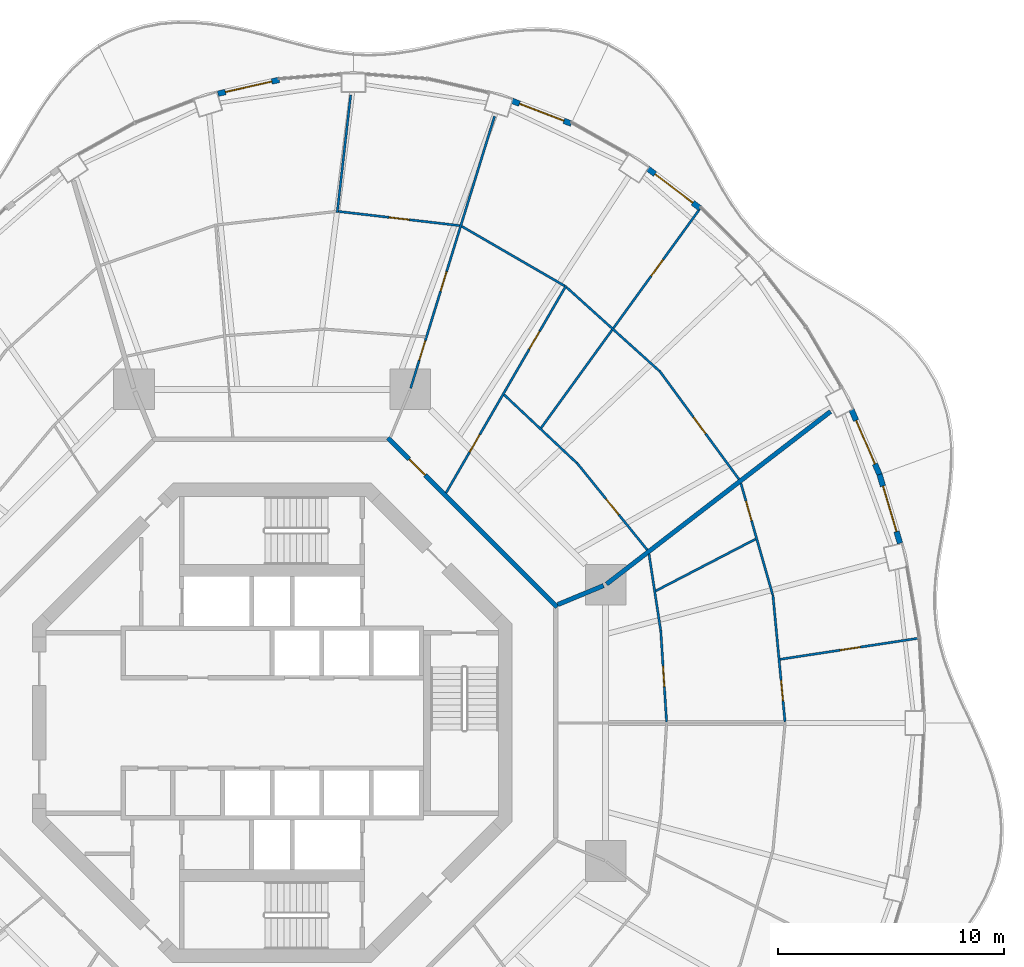
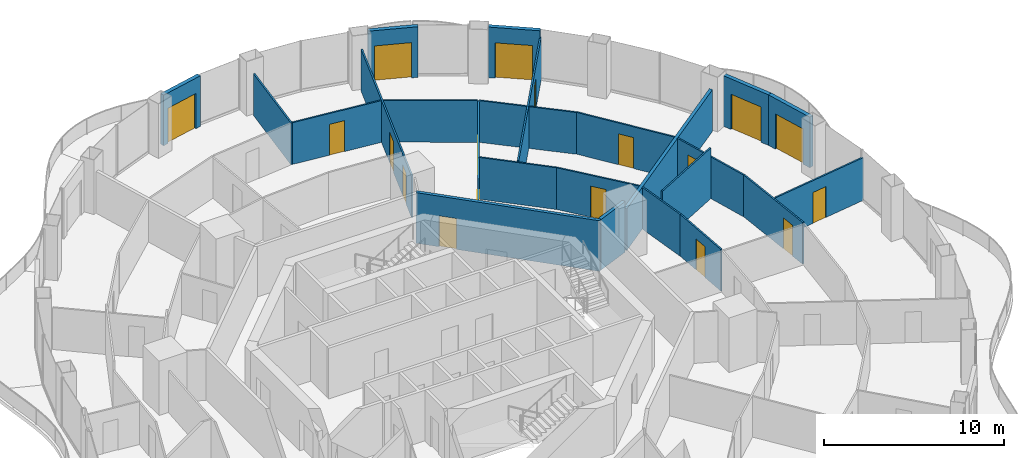
# One storey, part 15 of 19: 24 walls, 18 doors, 18 openings.
"""IFC4 building model written with IfcOpenShell, lengths in metres."""

from ifc_helpers import new_model, si_unit, direction, frame, frame_2d, origin, place, context, subcontext, project, spatial, rectangle, extrude, material, layer, layer_set, type_object, element, fill, save


model = new_model("IFC4")

# Units and contexts
model_context = context("Model", 3, precision=1e-05, world=origin(), true_north=direction((0.0, 1.0)))
body_context = subcontext(model_context, "Body", "Model", "MODEL_VIEW")
ifc_project = project(units=[si_unit("LENGTHUNIT", "METRE"), si_unit("AREAUNIT", "SQUARE_METRE"), si_unit("VOLUMEUNIT", "CUBIC_METRE"), si_unit("PLANEANGLEUNIT", "RADIAN"), si_unit("MASSUNIT", "GRAM", prefix="KILO")], contexts=[model_context])

# Site, building, storey
site_placement = place(None, origin())
site = spatial("IfcSite", under=ifc_project, at=site_placement, CompositionType="ELEMENT")
building_placement = place(site_placement, origin())
building = spatial("IfcBuilding", under=site, at=building_placement, Name="Nagisa Residences", CompositionType="ELEMENT")
storey_placement = place(building_placement, frame((0.0, 0.0, 199.199951171875)))
storey = spatial("IfcBuildingStorey", under=building, at=storey_placement, Name="L50", CompositionType="ELEMENT", Elevation=199.199951171875)

# Walls
ifc_material_1 = material(Name="Gypsum board on steel studs", Category="steel")
ifc_layer_1 = layer(ifc_material_1, 0.199951171875)
ifc_layer_set_1 = layer_set([ifc_layer_1], Name="Apartment compartment wall EI60 200")
wall_type_1 = type_object("IfcWallType", Name="Apartment compartment wall EI60 200", PredefinedType="PARTITIONING", material=ifc_layer_set_1)
wall_1_placement = place(storey_placement, frame((12.6572265625, 5.24267578125, 0.0), z_axis=(0.0, 0.0, 1.0), x_axis=(0.92383017907, 0.382802560388, 0.0)))
element("IfcWall", 1, at=wall_1_placement, inside=storey, type_object=wall_type_1, Name="wall:L50:u00", PredefinedType="PARTITIONING", context=body_context, shape_type="SweptSolid", body=[
    extrude(rectangle(XDim=2.2001953125, YDim=0.199951171875, at=frame_2d((1.10009765625, 0.0))), origin(), (0.0, 0.0, 1.0), 3.43994140625),
])
wall_2_placement = place(storey_placement, frame((14.82177734375, 6.153564453125, 0.0), z_axis=(0.0, 0.0, 1.0), x_axis=(0.792203056092, 0.610257583254, 0.0)))
element("IfcWall", 2, at=wall_2_placement, inside=storey, type_object=wall_type_1, Name="wall:L50:u01", PredefinedType="PARTITIONING", context=body_context, shape_type="SweptSolid", body=[
    extrude(rectangle(XDim=12.53271484375, YDim=0.199951171875, at=frame_2d((6.266357421875, 0.0))), origin(), (0.0, 0.0, 1.0), 2.837158203125),
])

# Wall, opening, door
ifc_material_2 = material(Name="Gypsum board on steel studs", Category="steel")
ifc_layer_2 = layer(ifc_material_2, 0.199951171875)
ifc_layer_set_2 = layer_set([ifc_layer_2], Name="Apartment entry wall EI60 200")
wall_type_2 = type_object("IfcWallType", Name="Apartment entry wall EI60 200", PredefinedType="PARTITIONING", material=ifc_layer_set_2)
wall_3_placement = place(storey_placement, frame((12.635498046875, 5.1337890625, 0.0), z_axis=(0.0, 0.0, 1.0), x_axis=(-0.707106781187, 0.707106781187, 0.0)))
wall_3 = element("IfcWall", 3, at=wall_3_placement, inside=storey, type_object=wall_type_2, Name="wall:L50:u07", PredefinedType="PARTITIONING", context=body_context, shape_type="SweptSolid", body=[
    extrude(rectangle(XDim=10.609130859375, YDim=0.199951171875, at=frame_2d((5.3046875, 0.0))), origin(), (0.0, 0.0, 1.0), 3.43994140625),
])
opening_1_placement = place(wall_3_placement, frame((8.274169921875, 0.0, 0.0)))
opening_1 = element("IfcOpeningElement", 4, at=opening_1_placement, cuts=wall_3, Name="Opening L50-U22", PredefinedType="OPENING", context=body_context, shape_type="SweptSolid", body=[
    extrude(rectangle(XDim=1.0, YDim=2.10009765625, at=frame_2d((0.5, 1.050048828125))), frame((0.0, 0.10986328125, 0.0), z_axis=(0.0, -1.0, 0.0), x_axis=(1.0, 0.0, 0.0)), (0.0, 0.0, 1.0), 0.219970703125),
])
ifc_material_3 = material(Name="Timber fire door set", Category="wood")
door_type_1 = type_object("IfcDoorType", Name="Apartment entry door FD30S 1000x2100", OperationType="NOTDEFINED", PredefinedType="DOOR", material=ifc_material_3)
door_1_placement = place(opening_1_placement, frame((1.0, 0.0, 0.0), x_axis=(-1.0, 0.0, 0.0)))
door_1 = element("IfcDoor", 5, at=door_1_placement, inside=storey, type_object=door_type_1, Name="Entry door, Apartment 50B", OperationType="SINGLE_SWING_LEFT", OverallHeight=2.10009765625, OverallWidth=1.0, PredefinedType="DOOR", context=body_context, shape_type="SweptSolid", body=[
    extrude(rectangle(XDim=1.0, YDim=2.10009765625, at=frame_2d((0.5, 1.050048828125))), frame((0.0, 0.02490234375, 0.0), z_axis=(0.0, -1.0, 0.0), x_axis=(1.0, 0.0, 0.0)), (0.0, 0.0, 1.0), 0.050048828125),
])
fill(opening_1, door_1)

ifc_material_4 = material(Name="Gypsum board on steel studs", Category="steel")
ifc_layer_3 = layer(ifc_material_4, 0.10009765625)
ifc_layer_set_3 = layer_set([ifc_layer_3], Name="Apartment partition 100")
wall_type_3 = type_object("IfcWallType", Name="Apartment partition 100", PredefinedType="PARTITIONING", material=ifc_layer_set_3)
wall_4_placement = place(storey_placement, frame((17.484619140625, 0.0498046875, 0.0), z_axis=(0.0, 0.0, 1.0), x_axis=(-0.063673473968, 0.997970785501, 0.0)))
wall_4 = element("IfcWall", 6, at=wall_4_placement, inside=storey, type_object=wall_type_3, Name="wall:L50:u15", PredefinedType="PARTITIONING", context=body_context, shape_type="SweptSolid", body=[
    extrude(rectangle(XDim=4.072021484375, YDim=0.10009765625, at=frame_2d((2.0361328125, 0.0))), origin(), (0.0, 0.0, 1.0), 2.837158203125),
])
opening_2_placement = place(wall_4_placement, frame((1.560791015625, 0.0, 0.0)))
opening_2 = element("IfcOpeningElement", 7, at=opening_2_placement, cuts=wall_4, Name="Opening L50-U21", PredefinedType="OPENING", context=body_context, shape_type="SweptSolid", body=[
    extrude(rectangle(XDim=0.89990234375, YDim=2.10009765625, at=frame_2d((0.449951171875, 1.050048828125))), frame((0.0, 0.06005859375, 0.0), z_axis=(0.0, -1.0, 0.0), x_axis=(1.0, 0.0, 0.0)), (0.0, 0.0, 1.0), 0.1201171875),
])
ifc_material_5 = material(Name="Timber door set", Category="wood")
door_type_2 = type_object("IfcDoorType", Name="Apartment door 900x2100", OperationType="NOTDEFINED", PredefinedType="DOOR", material=ifc_material_5)
door_2_placement = place(opening_2_placement, origin())
door_2 = element("IfcDoor", 8, at=door_2_placement, inside=storey, type_object=door_type_2, Name="Door to laundry, Apartment 50A", OperationType="SINGLE_SWING_LEFT", OverallHeight=2.10009765625, OverallWidth=0.89990234375, PredefinedType="DOOR", context=body_context, shape_type="SweptSolid", body=[
    extrude(rectangle(XDim=0.89990234375, YDim=2.10009765625, at=frame_2d((0.449951171875, 1.050048828125))), frame((0.0, 0.02490234375, 0.0), z_axis=(0.0, -1.0, 0.0), x_axis=(1.0, 0.0, 0.0)), (0.0, 0.0, 1.0), 0.050048828125),
])
fill(opening_2, door_2)

wall_5_placement = place(storey_placement, frame((22.734375, 0.0498046875, 0.0), z_axis=(0.0, 0.0, 1.0), x_axis=(-0.0949274088, 0.995484197292, 0.0)))
wall_5 = element("IfcWall", 9, at=wall_5_placement, inside=storey, type_object=wall_type_3, Name="wall:L50:u17", PredefinedType="PARTITIONING", context=body_context, shape_type="SweptSolid", body=[
    extrude(rectangle(XDim=5.647705078125, YDim=0.10009765625, at=frame_2d((2.82373046875, 0.0))), origin(), (0.0, 0.0, 1.0), 2.837158203125),
])
opening_3_placement = place(wall_5_placement, frame((0.93701171875, 0.0, 0.0)))
opening_3 = element("IfcOpeningElement", 10, at=opening_3_placement, cuts=wall_5, Name="Opening L50-U16", PredefinedType="OPENING", context=body_context, shape_type="SweptSolid", body=[
    extrude(rectangle(XDim=0.89990234375, YDim=2.10009765625, at=frame_2d((0.449951171875, 1.050048828125))), frame((0.0, 0.06005859375, 0.0), z_axis=(0.0, -1.0, 0.0), x_axis=(1.0, 0.0, 0.0)), (0.0, 0.0, 1.0), 0.1201171875),
])
door_3_placement = place(opening_3_placement, origin())
door_3 = element("IfcDoor", 11, at=door_3_placement, inside=storey, type_object=door_type_2, Name="Door to family room, Apartment 50A", OperationType="SINGLE_SWING_RIGHT", OverallHeight=2.10009765625, OverallWidth=0.89990234375, PredefinedType="DOOR", context=body_context, shape_type="SweptSolid", body=[
    extrude(rectangle(XDim=0.89990234375, YDim=2.10009765625, at=frame_2d((0.449951171875, 1.050048828125))), frame((0.0, 0.02490234375, 0.0), z_axis=(0.0, -1.0, 0.0), x_axis=(1.0, 0.0, 0.0)), (0.0, 0.0, 1.0), 0.050048828125),
])
fill(opening_3, door_3)

wall_6_placement = place(storey_placement, frame((22.5205078125, 2.818603515625, 0.0), z_axis=(0.0, 0.0, 1.0), x_axis=(0.988590363863, 0.150628989499, 0.0)))
wall_6 = element("IfcWall", 12, at=wall_6_placement, inside=storey, type_object=wall_type_3, Name="wall:L50:u19", PredefinedType="PARTITIONING", context=body_context, shape_type="SweptSolid", body=[
    extrude(rectangle(XDim=6.269287109375, YDim=0.10009765625, at=frame_2d((3.134765625, 0.0))), origin(), (0.0, 0.0, 1.0), 2.905029296875),
])
opening_4_placement = place(wall_6_placement, frame((2.684814453125, 0.0, 0.0)))
opening_4 = element("IfcOpeningElement", 13, at=opening_4_placement, cuts=wall_6, Name="Opening L50-U12", PredefinedType="OPENING", context=body_context, shape_type="SweptSolid", body=[
    extrude(rectangle(XDim=0.89990234375, YDim=2.10009765625, at=frame_2d((0.449951171875, 1.050048828125))), frame((0.0, 0.06005859375, 0.0), z_axis=(0.0, -1.0, 0.0), x_axis=(1.0, 0.0, 0.0)), (0.0, 0.0, 1.0), 0.1201171875),
])
door_4_placement = place(opening_4_placement, origin())
door_4 = element("IfcDoor", 14, at=door_4_placement, inside=storey, type_object=door_type_2, Name="Door to master bedroom, Apartment 50A", OperationType="SINGLE_SWING_RIGHT", OverallHeight=2.10009765625, OverallWidth=0.89990234375, PredefinedType="DOOR", context=body_context, shape_type="SweptSolid", body=[
    extrude(rectangle(XDim=0.89990234375, YDim=2.10009765625, at=frame_2d((0.449951171875, 1.050048828125))), frame((0.0, 0.02490234375, 0.0), z_axis=(0.0, -1.0, 0.0), x_axis=(1.0, 0.0, 0.0)), (0.0, 0.0, 1.0), 0.050048828125),
])
fill(opening_4, door_4)

# Wall
wall_7_placement = place(storey_placement, frame((17.220947265625, 4.113037109375, 0.0), z_axis=(0.0, 0.0, 1.0), x_axis=(-0.1510806336, 0.988521442434, 0.0)))
element("IfcWall", 15, at=wall_7_placement, inside=storey, type_object=wall_type_3, Name="wall:L50:u20", PredefinedType="PARTITIONING", context=body_context, shape_type="SweptSolid", body=[
    extrude(rectangle(XDim=3.41943359375, YDim=0.10009765625, at=frame_2d((1.709716796875, 0.0))), origin(), (0.0, 0.0, 1.0), 2.837158203125),
])

# Wall, opening, door
wall_8_placement = place(storey_placement, frame((22.189453125, 5.67041015625, 0.0), z_axis=(0.0, 0.0, 1.0), x_axis=(-0.273819702124, 0.961781040949, 0.0)))
wall_8 = element("IfcWall", 16, at=wall_8_placement, inside=storey, type_object=wall_type_3, Name="wall:L50:u21", PredefinedType="PARTITIONING", context=body_context, shape_type="SweptSolid", body=[
    extrude(rectangle(XDim=5.151611328125, YDim=0.10009765625, at=frame_2d((2.57568359375, 0.0))), origin(), (0.0, 0.0, 1.0), 2.837158203125),
])
opening_5_placement = place(wall_8_placement, frame((3.42626953125, 0.0, 0.0)))
opening_5 = element("IfcOpeningElement", 17, at=opening_5_placement, cuts=wall_8, Name="Opening L50-U17", PredefinedType="OPENING", context=body_context, shape_type="SweptSolid", body=[
    extrude(rectangle(XDim=0.89990234375, YDim=2.10009765625, at=frame_2d((0.449951171875, 1.050048828125))), frame((0.0, 0.06005859375, 0.0), z_axis=(0.0, -1.0, 0.0), x_axis=(1.0, 0.0, 0.0)), (0.0, 0.0, 1.0), 0.1201171875),
])
door_5_placement = place(opening_5_placement, origin())
door_5 = element("IfcDoor", 18, at=door_5_placement, inside=storey, type_object=door_type_2, Name="Door to en-suite bathroom, Apartment 50A", OperationType="SINGLE_SWING_LEFT", OverallHeight=2.10009765625, OverallWidth=0.89990234375, PredefinedType="DOOR", context=body_context, shape_type="SweptSolid", body=[
    extrude(rectangle(XDim=0.89990234375, YDim=2.10009765625, at=frame_2d((0.449951171875, 1.050048828125))), frame((0.0, 0.02490234375, 0.0), z_axis=(0.0, -1.0, 0.0), x_axis=(1.0, 0.0, 0.0)), (0.0, 0.0, 1.0), 0.050048828125),
])
fill(opening_5, door_5)

# Wall
wall_9_placement = place(storey_placement, frame((17.003173828125, 5.850830078125, 0.0), z_axis=(0.0, 0.0, 1.0), x_axis=(0.887654549419, 0.460509935719, 0.0)))
element("IfcWall", 19, at=wall_9_placement, inside=storey, type_object=wall_type_3, Name="wall:L50:u22", PredefinedType="PARTITIONING", context=body_context, shape_type="SweptSolid", body=[
    extrude(rectangle(XDim=4.990234375, YDim=0.10009765625, at=frame_2d((2.4951171875, 0.0))), origin(), (0.0, 0.0, 1.0), 3.43994140625),
])

# Wall, opening, door
wall_10_placement = place(storey_placement, frame((16.626220703125, 7.669921875, 0.0), z_axis=(0.0, 0.0, 1.0), x_axis=(-0.628764602857, 0.777595700987, 0.0)))
wall_10 = element("IfcWall", 20, at=wall_10_placement, inside=storey, type_object=wall_type_3, Name="wall:L50:u23", PredefinedType="PARTITIONING", context=body_context, shape_type="SweptSolid", body=[
    extrude(rectangle(XDim=4.957275390625, YDim=0.10009765625, at=frame_2d((2.478515625, 0.0))), origin(), (0.0, 0.0, 1.0), 2.837158203125),
])
opening_6_placement = place(wall_10_placement, frame((2.003662109375, 0.0, 0.0)))
opening_6 = element("IfcOpeningElement", 21, at=opening_6_placement, cuts=wall_10, Name="Opening L50-U26", PredefinedType="OPENING", context=body_context, shape_type="SweptSolid", body=[
    extrude(rectangle(XDim=0.89990234375, YDim=2.10009765625, at=frame_2d((0.449951171875, 1.050048828125))), frame((0.0, 0.06005859375, 0.0), z_axis=(0.0, -1.0, 0.0), x_axis=(1.0, 0.0, 0.0)), (0.0, 0.0, 1.0), 0.1201171875),
])
door_6_placement = place(opening_6_placement, frame((0.89990234375, 0.0, 0.0), x_axis=(-1.0, 0.0, 0.0)))
door_6 = element("IfcDoor", 22, at=door_6_placement, inside=storey, type_object=door_type_2, Name="Door to kitchen, Apartment 50B", OperationType="SINGLE_SWING_LEFT", OverallHeight=2.10009765625, OverallWidth=0.89990234375, PredefinedType="DOOR", context=body_context, shape_type="SweptSolid", body=[
    extrude(rectangle(XDim=0.89990234375, YDim=2.10009765625, at=frame_2d((0.449951171875, 1.050048828125))), frame((0.0, 0.02490234375, 0.0), z_axis=(0.0, -1.0, 0.0), x_axis=(1.0, 0.0, 0.0)), (0.0, 0.0, 1.0), 0.050048828125),
])
fill(opening_6, door_6)

wall_11_placement = place(storey_placement, frame((20.6923828125, 10.802001953125, 0.0), z_axis=(0.0, 0.0, 1.0), x_axis=(-0.591122127251, 0.806582066918, 0.0)))
wall_11 = element("IfcWall", 23, at=wall_11_placement, inside=storey, type_object=wall_type_3, Name="wall:L50:u24", PredefinedType="PARTITIONING", context=body_context, shape_type="SweptSolid", body=[
    extrude(rectangle(XDim=5.960205078125, YDim=0.10009765625, at=frame_2d((2.97998046875, 0.0))), origin(), (0.0, 0.0, 1.0), 2.837158203125),
])
opening_7_placement = place(wall_11_placement, frame((2.5048828125, 0.0, 0.0)))
opening_7 = element("IfcOpeningElement", 24, at=opening_7_placement, cuts=wall_11, Name="Opening L50-U30", PredefinedType="OPENING", context=body_context, shape_type="SweptSolid", body=[
    extrude(rectangle(XDim=0.89990234375, YDim=2.10009765625, at=frame_2d((0.449951171875, 1.050048828125))), frame((0.0, 0.06005859375, 0.0), z_axis=(0.0, -1.0, 0.0), x_axis=(1.0, 0.0, 0.0)), (0.0, 0.0, 1.0), 0.1201171875),
])
door_7_placement = place(opening_7_placement, frame((0.89990234375, 0.0, 0.0), x_axis=(-1.0, 0.0, 0.0)))
door_7 = element("IfcDoor", 25, at=door_7_placement, inside=storey, type_object=door_type_2, Name="Door to dining room, Apartment 50B", OperationType="SINGLE_SWING_LEFT", OverallHeight=2.10009765625, OverallWidth=0.89990234375, PredefinedType="DOOR", context=body_context, shape_type="SweptSolid", body=[
    extrude(rectangle(XDim=0.89990234375, YDim=2.10009765625, at=frame_2d((0.449951171875, 1.050048828125))), frame((0.0, 0.02490234375, 0.0), z_axis=(0.0, -1.0, 0.0), x_axis=(1.0, 0.0, 0.0)), (0.0, 0.0, 1.0), 0.050048828125),
])
fill(opening_7, door_7)

# Walls
wall_12_placement = place(storey_placement, frame((13.50439453125, 11.52001953125, 0.0), z_axis=(0.0, 0.0, 1.0), x_axis=(-0.728885663674, 0.684635442619, 0.0)))
element("IfcWall", 26, at=wall_12_placement, inside=storey, type_object=wall_type_3, Name="wall:L50:u25", PredefinedType="PARTITIONING", context=body_context, shape_type="SweptSolid", body=[
    extrude(rectangle(XDim=4.41943359375, YDim=0.10009765625, at=frame_2d((2.209716796875, 0.0))), origin(), (0.0, 0.0, 1.0), 2.837158203125),
])
wall_13_placement = place(storey_placement, frame((17.16162109375, 15.6025390625, 0.0), z_axis=(0.0, 0.0, 1.0), x_axis=(-0.742790086539, 0.66952437397, 0.0)))
element("IfcWall", 27, at=wall_13_placement, inside=storey, type_object=wall_type_3, Name="wall:L50:u26", PredefinedType="PARTITIONING", context=body_context, shape_type="SweptSolid", body=[
    extrude(rectangle(XDim=5.54150390625, YDim=0.10009765625, at=frame_2d((2.770751953125, 0.0))), origin(), (0.0, 0.0, 1.0), 2.837158203125),
])

# Wall, opening, door
wall_14_placement = place(storey_placement, frame((11.923095703125, 13.0732421875, 0.0), z_axis=(0.0, 0.0, 1.0), x_axis=(0.586643945506, 0.809844973561, 0.0)))
wall_14 = element("IfcWall", 28, at=wall_14_placement, inside=storey, type_object=wall_type_3, Name="wall:L50:u27", PredefinedType="PARTITIONING", context=body_context, shape_type="SweptSolid", body=[
    extrude(rectangle(XDim=12.104248046875, YDim=0.10009765625, at=frame_2d((6.05224609375, 0.0))), origin(), (0.0, 0.0, 1.0), 2.905029296875),
])
opening_8_placement = place(wall_14_placement, frame((8.310302734375, 0.0, 0.0)))
opening_8 = element("IfcOpeningElement", 29, at=opening_8_placement, cuts=wall_14, Name="Opening L50-U31", PredefinedType="OPENING", context=body_context, shape_type="SweptSolid", body=[
    extrude(rectangle(XDim=0.89990234375, YDim=2.10009765625, at=frame_2d((0.449951171875, 1.050048828125))), frame((0.0, 0.06005859375, 0.0), z_axis=(0.0, -1.0, 0.0), x_axis=(1.0, 0.0, 0.0)), (0.0, 0.0, 1.0), 0.1201171875),
])
door_8_placement = place(opening_8_placement, origin())
door_8 = element("IfcDoor", 30, at=door_8_placement, inside=storey, type_object=door_type_2, Name="Door to master bedroom, Apartment 50B", OperationType="SINGLE_SWING_LEFT", OverallHeight=2.10009765625, OverallWidth=0.89990234375, PredefinedType="DOOR", context=body_context, shape_type="SweptSolid", body=[
    extrude(rectangle(XDim=0.89990234375, YDim=2.10009765625, at=frame_2d((0.449951171875, 1.050048828125))), frame((0.0, 0.02490234375, 0.0), z_axis=(0.0, -1.0, 0.0), x_axis=(1.0, 0.0, 0.0)), (0.0, 0.0, 1.0), 0.050048828125),
])
fill(opening_8, door_8)

# Wall, openings, doors
wall_15_placement = place(storey_placement, frame((7.7080078125, 10.19775390625, 0.0), z_axis=(0.0, 0.0, 1.0), x_axis=(0.501288100085, 0.865280440501, 0.0)))
wall_15 = element("IfcWall", 31, at=wall_15_placement, inside=storey, type_object=wall_type_3, Name="wall:L50:u28", PredefinedType="PARTITIONING", context=body_context, shape_type="SweptSolid", body=[
    extrude(rectangle(XDim=10.623046875, YDim=0.10009765625, at=frame_2d((5.3115234375, 0.0))), origin(), (0.0, 0.0, 1.0), 2.756103515625),
])
opening_9_placement = place(wall_15_placement, frame((2.082275390625, 0.0, 0.0)))
opening_9 = element("IfcOpeningElement", 32, at=opening_9_placement, cuts=wall_15, Name="Opening L50-U23", PredefinedType="OPENING", context=body_context, shape_type="SweptSolid", body=[
    extrude(rectangle(XDim=0.89990234375, YDim=2.10009765625, at=frame_2d((0.449951171875, 1.050048828125))), frame((0.0, 0.06005859375, 0.0), z_axis=(0.0, -1.0, 0.0), x_axis=(1.0, 0.0, 0.0)), (0.0, 0.0, 1.0), 0.1201171875),
])
opening_10_placement = place(wall_15_placement, frame((7.36865234375, 0.0, 0.0)))
opening_10 = element("IfcOpeningElement", 33, at=opening_10_placement, cuts=wall_15, Name="Opening L50-U27", PredefinedType="OPENING", context=body_context, shape_type="SweptSolid", body=[
    extrude(rectangle(XDim=0.89990234375, YDim=2.10009765625, at=frame_2d((0.449951171875, 1.050048828125))), frame((0.0, 0.06005859375, 0.0), z_axis=(0.0, -1.0, 0.0), x_axis=(1.0, 0.0, 0.0)), (0.0, 0.0, 1.0), 0.1201171875),
])
door_9_placement = place(opening_9_placement, frame((0.89990234375, 0.0, 0.0), x_axis=(-1.0, 0.0, 0.0)))
door_9 = element("IfcDoor", 34, at=door_9_placement, inside=storey, type_object=door_type_2, Name="Door to store, Apartment 50B", OperationType="SINGLE_SWING_RIGHT", OverallHeight=2.10009765625, OverallWidth=0.89990234375, PredefinedType="DOOR", context=body_context, shape_type="SweptSolid", body=[
    extrude(rectangle(XDim=0.89990234375, YDim=2.10009765625, at=frame_2d((0.449951171875, 1.050048828125))), frame((0.0, 0.02490234375, 0.0), z_axis=(0.0, -1.0, 0.0), x_axis=(1.0, 0.0, 0.0)), (0.0, 0.0, 1.0), 0.050048828125),
])
fill(opening_9, door_9)
door_10_placement = place(opening_10_placement, frame((0.89990234375, 0.0, 0.0), x_axis=(-1.0, 0.0, 0.0)))
door_10 = element("IfcDoor", 35, at=door_10_placement, inside=storey, type_object=door_type_2, Name="Door to family bathroom, Apartment 50B", OperationType="SINGLE_SWING_RIGHT", OverallHeight=2.10009765625, OverallWidth=0.89990234375, PredefinedType="DOOR", context=body_context, shape_type="SweptSolid", body=[
    extrude(rectangle(XDim=0.89990234375, YDim=2.10009765625, at=frame_2d((0.449951171875, 1.050048828125))), frame((0.0, 0.02490234375, 0.0), z_axis=(0.0, -1.0, 0.0), x_axis=(1.0, 0.0, 0.0)), (0.0, 0.0, 1.0), 0.050048828125),
])
fill(opening_10, door_10)

# Wall
wall_16_placement = place(storey_placement, frame((12.965087890625, 19.371337890625, 0.0), z_axis=(0.0, 0.0, 1.0), x_axis=(-0.865277177388, 0.501293732547, 0.0)))
element("IfcWall", 36, at=wall_16_placement, inside=storey, type_object=wall_type_3, Name="wall:L50:u29", PredefinedType="PARTITIONING", context=body_context, shape_type="SweptSolid", body=[
    extrude(rectangle(XDim=5.27001953125, YDim=0.10009765625, at=frame_2d((2.635009765625, 0.0))), origin(), (0.0, 0.0, 1.0), 2.837158203125),
])

# Wall, openings, doors
wall_17_placement = place(storey_placement, frame((6.1376953125, 14.829833984375, 0.0), z_axis=(0.0, 0.0, 1.0), x_axis=(0.294818517221, 0.955553264818, 0.0)))
wall_17 = element("IfcWall", 37, at=wall_17_placement, inside=storey, type_object=wall_type_3, Name="wall:L50:u31", PredefinedType="PARTITIONING", context=body_context, shape_type="SweptSolid", body=[
    extrude(rectangle(XDim=12.619384765625, YDim=0.10009765625, at=frame_2d((6.3095703125, 0.0))), origin(), (0.0, 0.0, 1.0), 2.837158203125),
])
opening_11_placement = place(wall_17_placement, frame((1.3056640625, 0.0, 0.0)))
opening_11 = element("IfcOpeningElement", 38, at=opening_11_placement, cuts=wall_17, Name="Opening L50-U24", PredefinedType="OPENING", context=body_context, shape_type="SweptSolid", body=[
    extrude(rectangle(XDim=0.89990234375, YDim=2.10009765625, at=frame_2d((0.449951171875, 1.050048828125))), frame((0.0, 0.06005859375, 0.0), z_axis=(0.0, -1.0, 0.0), x_axis=(1.0, 0.0, 0.0)), (0.0, 0.0, 1.0), 0.1201171875),
])
opening_12_placement = place(wall_17_placement, frame((4.5146484375, 0.0, 0.0)))
opening_12 = element("IfcOpeningElement", 39, at=opening_12_placement, cuts=wall_17, Name="Opening L50-U28", PredefinedType="OPENING", context=body_context, shape_type="SweptSolid", body=[
    extrude(rectangle(XDim=0.89990234375, YDim=2.10009765625, at=frame_2d((0.449951171875, 1.050048828125))), frame((0.0, 0.06005859375, 0.0), z_axis=(0.0, -1.0, 0.0), x_axis=(1.0, 0.0, 0.0)), (0.0, 0.0, 1.0), 0.1201171875),
])
door_11_placement = place(opening_11_placement, origin())
door_11 = element("IfcDoor", 40, at=door_11_placement, inside=storey, type_object=door_type_2, Name="Door to store, Apartment 50B", OperationType="SINGLE_SWING_RIGHT", OverallHeight=2.10009765625, OverallWidth=0.89990234375, PredefinedType="DOOR", context=body_context, shape_type="SweptSolid", body=[
    extrude(rectangle(XDim=0.89990234375, YDim=2.10009765625, at=frame_2d((0.449951171875, 1.050048828125))), frame((0.0, 0.02490234375, 0.0), z_axis=(0.0, -1.0, 0.0), x_axis=(1.0, 0.0, 0.0)), (0.0, 0.0, 1.0), 0.050048828125),
])
fill(opening_11, door_11)
door_12_placement = place(opening_12_placement, origin())
door_12 = element("IfcDoor", 41, at=door_12_placement, inside=storey, type_object=door_type_2, Name="Door to dining room, Apartment 50B", OperationType="SINGLE_SWING_RIGHT", OverallHeight=2.10009765625, OverallWidth=0.89990234375, PredefinedType="DOOR", context=body_context, shape_type="SweptSolid", body=[
    extrude(rectangle(XDim=0.89990234375, YDim=2.10009765625, at=frame_2d((0.449951171875, 1.050048828125))), frame((0.0, 0.02490234375, 0.0), z_axis=(0.0, -1.0, 0.0), x_axis=(1.0, 0.0, 0.0)), (0.0, 0.0, 1.0), 0.050048828125),
])
fill(opening_12, door_12)

# Wall, opening, door
wall_18_placement = place(storey_placement, frame((8.31201171875, 22.0439453125, 0.0), z_axis=(0.0, 0.0, 1.0), x_axis=(-0.993245806382, 0.1160291692, 0.0)))
wall_18 = element("IfcWall", 42, at=wall_18_placement, inside=storey, type_object=wall_type_3, Name="wall:L50:u33", PredefinedType="PARTITIONING", context=body_context, shape_type="SweptSolid", body=[
    extrude(rectangle(XDim=5.40771484375, YDim=0.10009765625, at=frame_2d((2.703857421875, 0.0))), origin(), (0.0, 0.0, 1.0), 2.837158203125),
])
opening_13_placement = place(wall_18_placement, frame((2.25390625, 0.0, 0.0)))
opening_13 = element("IfcOpeningElement", 43, at=opening_13_placement, cuts=wall_18, Name="Opening L50-U32", PredefinedType="OPENING", context=body_context, shape_type="SweptSolid", body=[
    extrude(rectangle(XDim=0.89990234375, YDim=2.10009765625, at=frame_2d((0.449951171875, 1.050048828125))), frame((0.0, 0.06005859375, 0.0), z_axis=(0.0, -1.0, 0.0), x_axis=(1.0, 0.0, 0.0)), (0.0, 0.0, 1.0), 0.1201171875),
])
door_13_placement = place(opening_13_placement, frame((0.89990234375, 0.0, 0.0), x_axis=(-1.0, 0.0, 0.0)))
door_13 = element("IfcDoor", 44, at=door_13_placement, inside=storey, type_object=door_type_2, Name="Door to bedroom, Apartment 50B", OperationType="SINGLE_SWING_LEFT", OverallHeight=2.10009765625, OverallWidth=0.89990234375, PredefinedType="DOOR", context=body_context, shape_type="SweptSolid", body=[
    extrude(rectangle(XDim=0.89990234375, YDim=2.10009765625, at=frame_2d((0.449951171875, 1.050048828125))), frame((0.0, 0.02490234375, 0.0), z_axis=(0.0, -1.0, 0.0), x_axis=(1.0, 0.0, 0.0)), (0.0, 0.0, 1.0), 0.050048828125),
])
fill(opening_13, door_13)

# Wall
wall_19_placement = place(storey_placement, frame((2.885498046875, 22.62744140625, 0.0), z_axis=(0.0, 0.0, 1.0), x_axis=(0.113634556485, 0.993522615531, 0.0)))
element("IfcWall", 45, at=wall_19_placement, inside=storey, type_object=wall_type_3, Name="wall:L50:u35", PredefinedType="PARTITIONING", context=body_context, shape_type="SweptSolid", body=[
    extrude(rectangle(XDim=5.244384765625, YDim=0.10009765625, at=frame_2d((2.6220703125, 0.0))), origin(), (0.0, 0.0, 1.0), 2.837158203125),
])

# Wall, opening, door
ifc_material_6 = material(Name="Precast concrete C40/50", Category="concrete")
ifc_layer_4 = layer(ifc_material_6, 0.25)
ifc_layer_set_4 = layer_set([ifc_layer_4], Name="BALCONY DOOR WALL 250")
wall_type_4 = type_object("IfcWallType", Name="BALCONY DOOR WALL 250", PredefinedType="SOLIDWALL", material=ifc_layer_set_4)
wall_20_placement = place(storey_placement, frame((26.923583984375, 11.01416015625, 0.0), z_axis=(0.0, 0.0, 1.0), x_axis=(0.28584838049, -0.958274857946, 0.0)))
wall_20 = element("IfcWall", 46, at=wall_20_placement, inside=storey, type_object=wall_type_4, Name="wall:L50:bay02", PredefinedType="SOLIDWALL", context=body_context, shape_type="SweptSolid", body=[
    extrude(rectangle(XDim=3.182373046875, YDim=0.25, at=frame_2d((1.59130859375, 0.0))), origin(), (0.0, 0.0, 1.0), 3.43994140625),
])
opening_14_placement = place(wall_20_placement, frame((0.541259765625, 0.0, 0.0)))
opening_14 = element("IfcOpeningElement", 47, at=opening_14_placement, cuts=wall_20, Name="Opening BD-L50-01", PredefinedType="OPENING", context=body_context, shape_type="SweptSolid", body=[
    extrude(rectangle(XDim=2.10009765625, YDim=2.39990234375, at=frame_2d((1.050048828125, 1.199951171875))), frame((0.0, 0.135009765625, 0.0), z_axis=(0.0, -1.0, 0.0), x_axis=(1.0, 0.0, 0.0)), (0.0, 0.0, 1.0), 0.27001953125),
])
ifc_material_7 = material(Name="Aluminium and clear glass", Category="aluminium")
door_type_3 = type_object("IfcDoorType", Name="BALCONY SLIDING DOOR 2100x2400", OperationType="SLIDING_TO_LEFT", PredefinedType="DOOR", material=ifc_material_7)
door_14_placement = place(opening_14_placement, origin())
door_14 = element("IfcDoor", 48, at=door_14_placement, inside=storey, type_object=door_type_3, Name="door:L50:bay02", OperationType="SLIDING_TO_LEFT", OverallHeight=2.39990234375, OverallWidth=2.10009765625, PredefinedType="DOOR", context=body_context, shape_type="SweptSolid", body=[
    extrude(rectangle(XDim=2.10009765625, YDim=2.39990234375, at=frame_2d((1.050048828125, 1.199951171875))), frame((0.0, 0.02490234375, 0.0), z_axis=(0.0, -1.0, 0.0), x_axis=(1.0, 0.0, 0.0)), (0.0, 0.0, 1.0), 0.050048828125),
])
fill(opening_14, door_14)

wall_21_placement = place(storey_placement, frame((25.679443359375, 13.883056640625, 0.0), z_axis=(0.0, 0.0, 1.0), x_axis=(0.397620521824, -0.917549955384, 0.0)))
wall_21 = element("IfcWall", 49, at=wall_21_placement, inside=storey, type_object=wall_type_4, Name="wall:L50:bay03", PredefinedType="SOLIDWALL", context=body_context, shape_type="SweptSolid", body=[
    extrude(rectangle(XDim=3.141845703125, YDim=0.25, at=frame_2d((1.57080078125, 0.0))), origin(), (0.0, 0.0, 1.0), 3.43994140625),
])
opening_15_placement = place(wall_21_placement, frame((0.52099609375, 0.0, 0.0)))
opening_15 = element("IfcOpeningElement", 50, at=opening_15_placement, cuts=wall_21, Name="Opening BD-L50-02", PredefinedType="OPENING", context=body_context, shape_type="SweptSolid", body=[
    extrude(rectangle(XDim=2.10009765625, YDim=2.39990234375, at=frame_2d((1.050048828125, 1.199951171875))), frame((0.0, 0.135009765625, 0.0), z_axis=(0.0, -1.0, 0.0), x_axis=(1.0, 0.0, 0.0)), (0.0, 0.0, 1.0), 0.27001953125),
])
door_15_placement = place(opening_15_placement, origin())
door_15 = element("IfcDoor", 51, at=door_15_placement, inside=storey, type_object=door_type_3, Name="door:L50:bay03", OperationType="SLIDING_TO_LEFT", OverallHeight=2.39990234375, OverallWidth=2.10009765625, PredefinedType="DOOR", context=body_context, shape_type="SweptSolid", body=[
    extrude(rectangle(XDim=2.10009765625, YDim=2.39990234375, at=frame_2d((1.050048828125, 1.199951171875))), frame((0.0, 0.02490234375, 0.0), z_axis=(0.0, -1.0, 0.0), x_axis=(1.0, 0.0, 0.0)), (0.0, 0.0, 1.0), 0.050048828125),
])
fill(opening_15, door_15)

wall_22_placement = place(storey_placement, frame((16.649658203125, 24.573974609375, 0.0), z_axis=(0.0, 0.0, 1.0), x_axis=(0.796055733703, -0.60522332146, 0.0)))
wall_22 = element("IfcWall", 52, at=wall_22_placement, inside=storey, type_object=wall_type_4, Name="wall:L50:bay07", PredefinedType="SOLIDWALL", context=body_context, shape_type="SweptSolid", body=[
    extrude(rectangle(XDim=2.9169921875, YDim=0.25, at=frame_2d((1.45849609375, 0.0))), origin(), (0.0, 0.0, 1.0), 3.43994140625),
])
opening_16_placement = place(wall_22_placement, frame((0.408447265625, 0.0, 0.0)))
opening_16 = element("IfcOpeningElement", 53, at=opening_16_placement, cuts=wall_22, Name="Opening BD-L50-03", PredefinedType="OPENING", context=body_context, shape_type="SweptSolid", body=[
    extrude(rectangle(XDim=2.10009765625, YDim=2.39990234375, at=frame_2d((1.050048828125, 1.199951171875))), frame((0.0, 0.135009765625, 0.0), z_axis=(0.0, -1.0, 0.0), x_axis=(1.0, 0.0, 0.0)), (0.0, 0.0, 1.0), 0.27001953125),
])
door_16_placement = place(opening_16_placement, origin())
door_16 = element("IfcDoor", 54, at=door_16_placement, inside=storey, type_object=door_type_3, Name="door:L50:bay07", OperationType="SLIDING_TO_LEFT", OverallHeight=2.39990234375, OverallWidth=2.10009765625, PredefinedType="DOOR", context=body_context, shape_type="SweptSolid", body=[
    extrude(rectangle(XDim=2.10009765625, YDim=2.39990234375, at=frame_2d((1.050048828125, 1.199951171875))), frame((0.0, 0.02490234375, 0.0), z_axis=(0.0, -1.0, 0.0), x_axis=(1.0, 0.0, 0.0)), (0.0, 0.0, 1.0), 0.050048828125),
])
fill(opening_16, door_16)

wall_23_placement = place(storey_placement, frame((10.635498046875, 27.576416015625, 0.0), z_axis=(0.0, 0.0, 1.0), x_axis=(0.932806734513, -0.360377019311, 0.0)))
wall_23 = element("IfcWall", 55, at=wall_23_placement, inside=storey, type_object=wall_type_4, Name="wall:L50:bay09", PredefinedType="SOLIDWALL", context=body_context, shape_type="SweptSolid", body=[
    extrude(rectangle(XDim=2.819580078125, YDim=0.25, at=frame_2d((1.40966796875, 0.0))), origin(), (0.0, 0.0, 1.0), 3.43994140625),
])
opening_17_placement = place(wall_23_placement, frame((0.359619140625, 0.0, 0.0)))
opening_17 = element("IfcOpeningElement", 56, at=opening_17_placement, cuts=wall_23, Name="Opening BD-L50-04", PredefinedType="OPENING", context=body_context, shape_type="SweptSolid", body=[
    extrude(rectangle(XDim=2.10009765625, YDim=2.39990234375, at=frame_2d((1.050048828125, 1.199951171875))), frame((0.0, 0.135009765625, 0.0), z_axis=(0.0, -1.0, 0.0), x_axis=(1.0, 0.0, 0.0)), (0.0, 0.0, 1.0), 0.27001953125),
])
door_17_placement = place(opening_17_placement, origin())
door_17 = element("IfcDoor", 57, at=door_17_placement, inside=storey, type_object=door_type_3, Name="door:L50:bay09", OperationType="SLIDING_TO_LEFT", OverallHeight=2.39990234375, OverallWidth=2.10009765625, PredefinedType="DOOR", context=body_context, shape_type="SweptSolid", body=[
    extrude(rectangle(XDim=2.10009765625, YDim=2.39990234375, at=frame_2d((1.050048828125, 1.199951171875))), frame((0.0, 0.02490234375, 0.0), z_axis=(0.0, -1.0, 0.0), x_axis=(1.0, 0.0, 0.0)), (0.0, 0.0, 1.0), 0.050048828125),
])
fill(opening_17, door_17)

wall_24_placement = place(storey_placement, frame((-2.403564453125, 27.890625, 0.0), z_axis=(0.0, 0.0, 1.0), x_axis=(0.975324329911, 0.220776926974, 0.0)))
wall_24 = element("IfcWall", 58, at=wall_24_placement, inside=storey, type_object=wall_type_4, Name="wall:L50:bay13", PredefinedType="SOLIDWALL", context=body_context, shape_type="SweptSolid", body=[
    extrude(rectangle(XDim=2.787841796875, YDim=0.25, at=frame_2d((1.39404296875, 0.0))), origin(), (0.0, 0.0, 1.0), 3.43994140625),
])
opening_18_placement = place(wall_24_placement, frame((0.343994140625, 0.0, 0.0)))
opening_18 = element("IfcOpeningElement", 59, at=opening_18_placement, cuts=wall_24, Name="Opening BD-L50-05", PredefinedType="OPENING", context=body_context, shape_type="SweptSolid", body=[
    extrude(rectangle(XDim=2.10009765625, YDim=2.39990234375, at=frame_2d((1.050048828125, 1.199951171875))), frame((0.0, 0.135009765625, 0.0), z_axis=(0.0, -1.0, 0.0), x_axis=(1.0, 0.0, 0.0)), (0.0, 0.0, 1.0), 0.27001953125),
])
door_18_placement = place(opening_18_placement, origin())
door_18 = element("IfcDoor", 60, at=door_18_placement, inside=storey, type_object=door_type_3, Name="door:L50:bay13", OperationType="SLIDING_TO_LEFT", OverallHeight=2.39990234375, OverallWidth=2.10009765625, PredefinedType="DOOR", context=body_context, shape_type="SweptSolid", body=[
    extrude(rectangle(XDim=2.10009765625, YDim=2.39990234375, at=frame_2d((1.050048828125, 1.199951171875))), frame((0.0, 0.02490234375, 0.0), z_axis=(0.0, -1.0, 0.0), x_axis=(1.0, 0.0, 0.0)), (0.0, 0.0, 1.0), 0.050048828125),
])
fill(opening_18, door_18)

save(model, "model.ifc")
